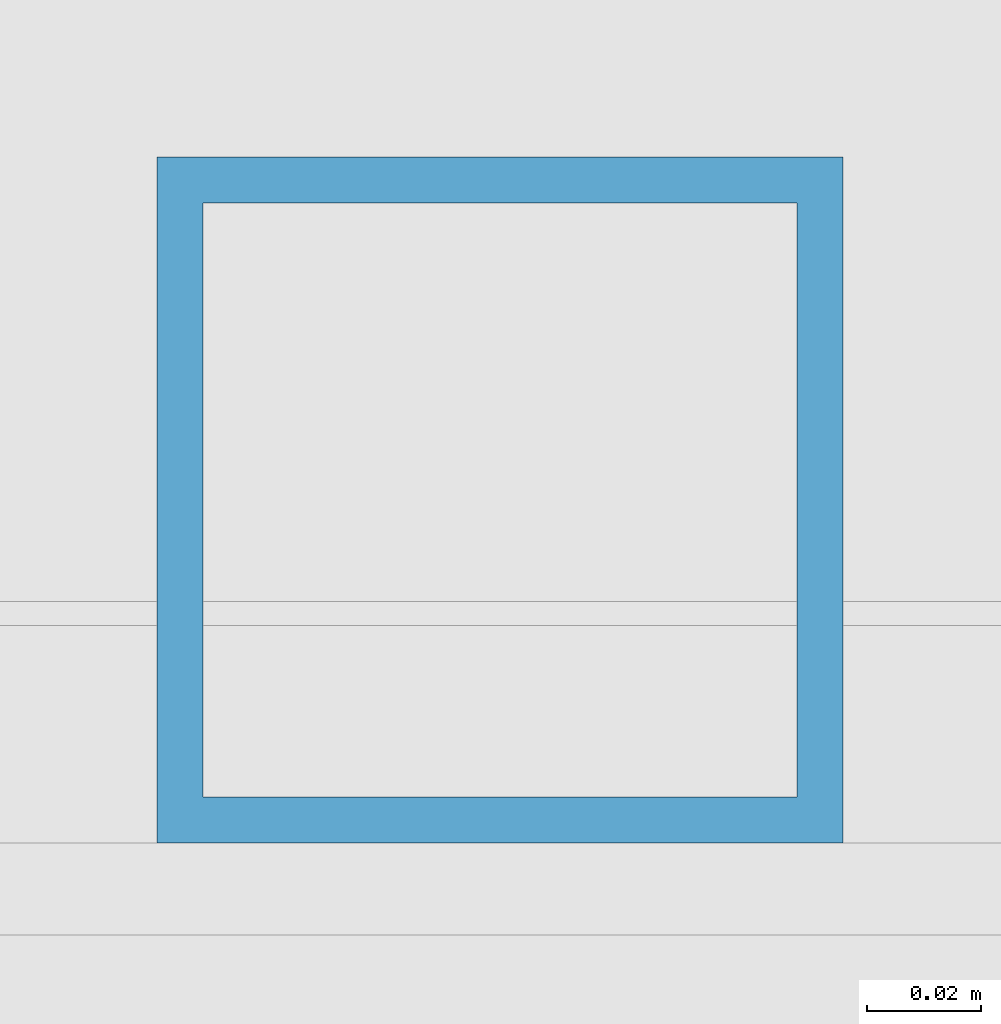
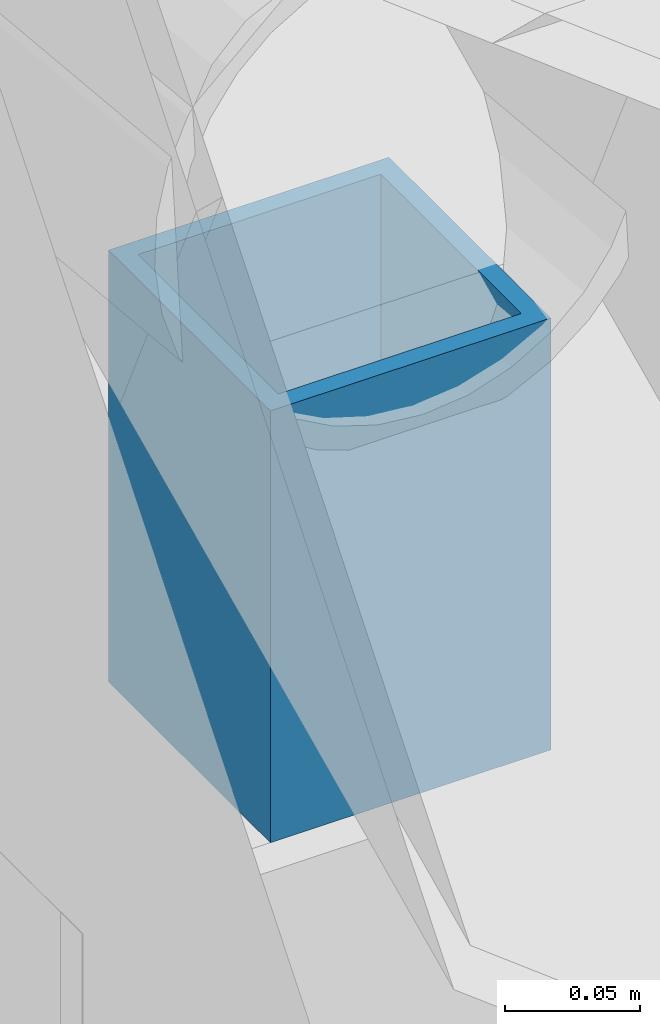
# One storey, part 84 of 154: 1 member.
"""IFC4 building model written with IfcOpenShell, lengths in metres."""

from ifc_helpers import new_model, si_unit, direction, frame, origin, origin_2d, place, context, subcontext, project, spatial, hollow_rectangle, extrude, material, material_profile, profile_set, type_object, element, save


model = new_model("IFC4")

# Units and contexts
model_context = context("Model", 3, precision=1e-05, world=origin(), true_north=direction((0.0, 1.0)))
body_context = subcontext(model_context, "Body", "Model", "MODEL_VIEW")
ifc_project = project(units=[si_unit("LENGTHUNIT", "METRE"), si_unit("AREAUNIT", "SQUARE_METRE"), si_unit("VOLUMEUNIT", "CUBIC_METRE"), si_unit("PLANEANGLEUNIT", "RADIAN"), si_unit("MASSUNIT", "GRAM", prefix="KILO")], contexts=[model_context])

# Site, building, storey
site_placement = place(None, origin())
site = spatial("IfcSite", under=ifc_project, at=site_placement, CompositionType="ELEMENT")
building_placement = place(site_placement, origin())
building = spatial("IfcBuilding", under=site, at=building_placement, Name="Golden Quay Civic Hall", CompositionType="ELEMENT")
storey_placement = place(building_placement, frame((0.0, 0.0, 14.39990234375)))
storey = spatial("IfcBuildingStorey", under=building, at=storey_placement, Name="L03", CompositionType="ELEMENT", Elevation=14.39990234375)

# Member
ifc_material = material(Name="Steel S355", Category="steel")
ifc_material_profile = material_profile(ifc_material, hollow_rectangle(XDim=0.1201171875, YDim=0.1201171875, WallThickness=0.008056640625, at=origin_2d()), Name="SHS 120x120x8")
ifc_profile_set = profile_set([ifc_material_profile], Name="Steel S355")
member_type = type_object("IfcMemberType", Name="Steel truss post SHS 120x120x8", PredefinedType="USERDEFINED", material=ifc_profile_set)
member_placement = place(storey_placement, frame((162.0, 63.06005859375, 0.050048828125), z_axis=(0.0, 0.0, 1.0), x_axis=(1.0, 0.0, 0.0)))
element("IfcMember", 1, at=member_placement, inside=storey, type_object=member_type, Name="Truss 162 post 1 L03", ObjectType="TRUSS POST", PredefinedType="USERDEFINED", context=body_context, shape_type="SweptSolid", body=[
    extrude(hollow_rectangle(XDim=0.1201171875, YDim=0.1201171875, WallThickness=0.008056640625, at=origin_2d()), origin(), (0.0, 0.0, 1.0), 0.195556640625),
])

save(model, "model.ifc")
